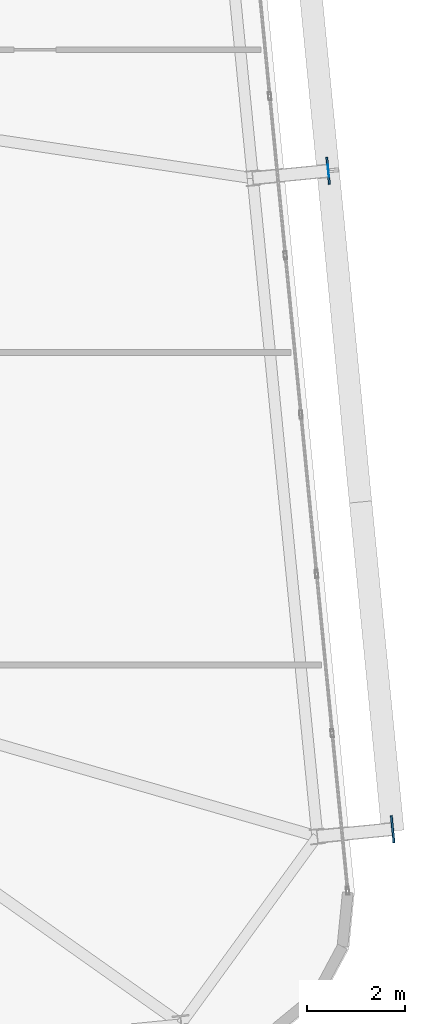
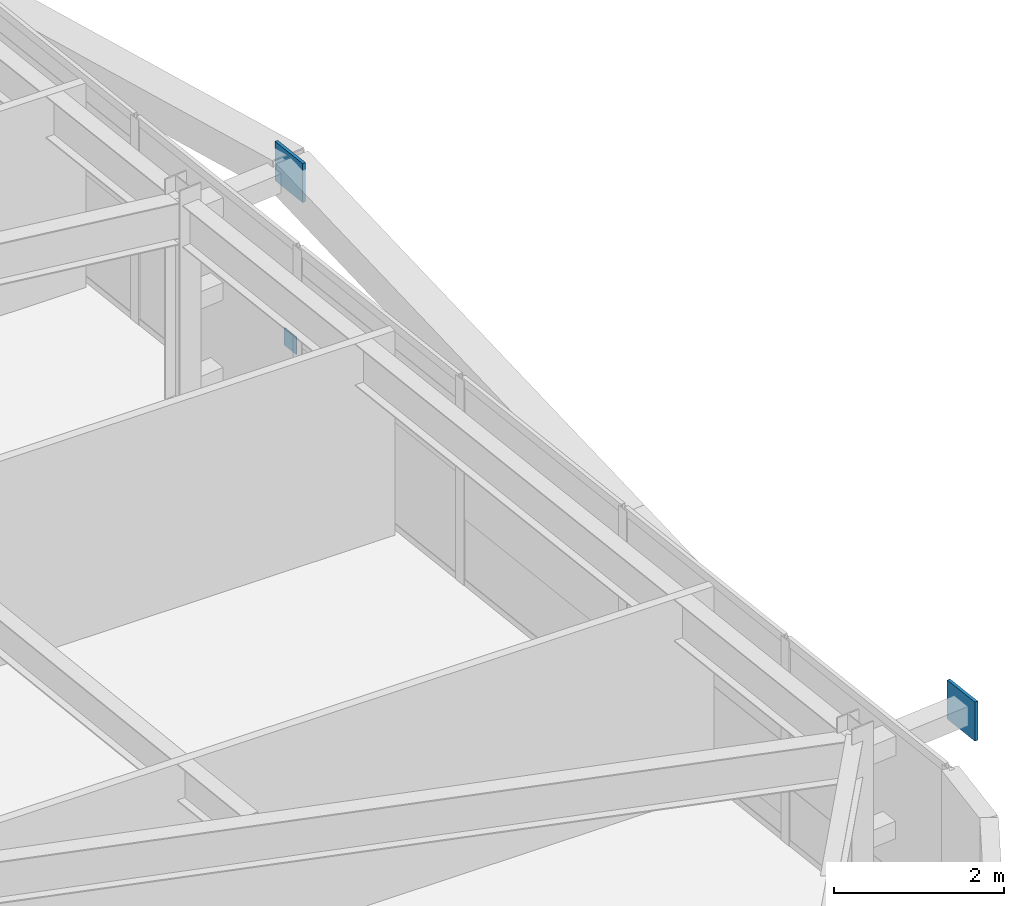
# One storey, part 42 of 52: 3 plates.
"""IFC4 building model written with IfcOpenShell, lengths in metres."""

import ifcopenshell
import ifcopenshell.guid

model = None  # the IFC model being written
_history = None  # IfcOwnerHistory: only IFC2X3 demands one
_inside = {}  # id of a spatial element -> (the spatial element, [elements in it])
_under = {}  # id of a project, library or spatial element -> (it, [spatial elements below it])
_declared = {}  # id of a project -> (the project, [libraries it declares])
_typed = {}  # id of a type object -> (the type object, [elements of that type])
_made_of = {}  # id of a material, layer set ... -> (it, [elements and type objects made of it])


def new_model(schema):
    """Start an empty IFC model of exactly this schema.

    Asked for "IFC4X3", IfcOpenShell would pick the latest addendum, in which some entities
    have other attributes; the version numbers below select the first issue.
    IFC2X3 requires an IfcOwnerHistory on every rooted entity: one is made here for all.
    """
    global model, _history
    if schema == "IFC4X3":
        model = ifcopenshell.file(schema_version=(4, 3, 0, 0))
    else:
        model = ifcopenshell.file(schema=schema)
    _inside.clear()
    _under.clear()
    _declared.clear()
    _typed.clear()
    _made_of.clear()
    _history = None
    if model.schema == "IFC2X3":
        org = make("IfcOrganization", Name="unknown")
        user = make(
            "IfcPersonAndOrganization",
            ThePerson=make("IfcPerson", FamilyName="unknown"),
            TheOrganization=org,
        )
        app = make(
            "IfcApplication",
            ApplicationDeveloper=org,
            Version="unknown",
            ApplicationFullName="unknown",
            ApplicationIdentifier="unknown",
        )
        _history = make(
            "IfcOwnerHistory",
            OwningUser=user,
            OwningApplication=app,
            ChangeAction="ADDED",
            CreationDate=0,
        )
    return model


def make(cls, **values):
    """One entity of the class cls with the attributes given. An attribute that is None is left unset."""
    return model.create_entity(
        cls, **{name: value for name, value in values.items() if value is not None}
    )


def rooted(cls, **values):
    """An entity with a GlobalId (a new one), such as an element, a storey or a relation."""
    return make(cls, GlobalId=ifcopenshell.guid.new(), OwnerHistory=_history, **values)


def si_unit(unit_type, name, prefix=None):
    """IfcSIUnit, for example si_unit("LENGTHUNIT", "METRE", prefix="MILLI")."""
    return make("IfcSIUnit", UnitType=unit_type, Prefix=prefix, Name=name)


def assignment(units):
    """IfcUnitAssignment: the units of a project."""
    return None if units is None else make("IfcUnitAssignment", Units=units)


def point(xyz):
    """IfcCartesianPoint."""
    return None if xyz is None else make("IfcCartesianPoint", Coordinates=xyz)


def direction(xyz):
    """IfcDirection."""
    return None if xyz is None else make("IfcDirection", DirectionRatios=xyz)


def frame(location, z_axis=None, x_axis=None):
    """IfcAxis2Placement3D, a coordinate frame: its origin and axes. An axis left out is left unset."""
    return make(
        "IfcAxis2Placement3D",
        Location=point(location),
        Axis=direction(z_axis),
        RefDirection=direction(x_axis),
    )


def frame_2d(location, x_axis=None):
    """IfcAxis2Placement2D, a coordinate frame in the plane: its origin and x axis."""
    return make(
        "IfcAxis2Placement2D", Location=point(location), RefDirection=direction(x_axis)
    )


def origin():
    """The frame at (0, 0, 0) with its axes left unset."""
    return frame((0.0, 0.0, 0.0))


def origin_2d():
    """The frame at (0, 0) in the plane with its x axis left unset."""
    return frame_2d((0.0, 0.0))


def place(relative_to, where):
    """IfcLocalPlacement: puts the frame where relative to a parent placement (None: the world)."""
    return make(
        "IfcLocalPlacement", PlacementRelTo=relative_to, RelativePlacement=where
    )


def context(
    kind, dimensions, precision=None, world=None, true_north=None, identifier=None
):
    """IfcGeometricRepresentationContext, for example the 3D "Model" context."""
    return make(
        "IfcGeometricRepresentationContext",
        ContextIdentifier=identifier,
        ContextType=kind,
        CoordinateSpaceDimension=dimensions,
        Precision=precision,
        WorldCoordinateSystem=world,
        TrueNorth=true_north,
    )


def subcontext(parent, identifier, kind, view, scale=None):
    """IfcGeometricRepresentationSubContext, for example "Body" below "Model"."""
    return make(
        "IfcGeometricRepresentationSubContext",
        ContextIdentifier=identifier,
        ContextType=kind,
        ParentContext=parent,
        TargetScale=scale,
        TargetView=view,
    )


def project(units=None, contexts=None):
    """IfcProject with its units and contexts."""
    return rooted(
        "IfcProject",
        Name="project",
        RepresentationContexts=contexts,
        UnitsInContext=assignment(units),
    )


def spatial(cls, under=None, at=None, **own):
    """A site, building, storey or space (cls), placed at a placement, below another one or the project."""
    s = rooted(cls, ObjectPlacement=at, **own)
    if under is not None:
        _under.setdefault(under.id(), (under, []))[1].append(s)
    return s


def profile(cls, at=None, kind="AREA", **sizes):
    """A parametric profile (cls). Its sizes go by their IFC names, for example OverallWidth=200.0."""
    return make(cls, ProfileType=kind, Position=at, **sizes)


def rectangle(**sizes):
    """IfcRectangleProfileDef."""
    return profile("IfcRectangleProfileDef", **sizes)


def extrude(swept, where, along, depth):
    """IfcExtrudedAreaSolid: the profile swept, set in the frame where, extruded along a direction by depth."""
    return make(
        "IfcExtrudedAreaSolid",
        SweptArea=swept,
        Position=where,
        ExtrudedDirection=direction(along),
        Depth=depth,
    )


def shape(context_of_items, identifier, shape_type, items):
    """IfcShapeRepresentation: the items that make up one representation, for example the "Body"."""
    return make(
        "IfcShapeRepresentation",
        ContextOfItems=context_of_items,
        RepresentationIdentifier=identifier,
        RepresentationType=shape_type,
        Items=items,
    )


def source(mapping_origin, context_of_items, identifier, shape_type, items):
    """IfcRepresentationMap: a shape defined once, which mapped items show again and again."""
    return make(
        "IfcRepresentationMap",
        MappingOrigin=mapping_origin,
        MappedRepresentation=shape(context_of_items, identifier, shape_type, items),
    )


def transform(
    local_origin,
    x_axis=None,
    y_axis=None,
    z_axis=None,
    scale=None,
    scale2=None,
    scale3=None,
    uniform=True,
):
    """IfcCartesianTransformationOperator3D, or its non-uniform kind. x_axis, y_axis, z_axis: its Axis1, 2, 3."""
    if uniform:
        return make(
            "IfcCartesianTransformationOperator3D",
            Axis1=direction(x_axis),
            Axis2=direction(y_axis),
            LocalOrigin=point(local_origin),
            Scale=scale,
            Axis3=direction(z_axis),
        )
    return make(
        "IfcCartesianTransformationOperator3DnonUniform",
        Axis1=direction(x_axis),
        Axis2=direction(y_axis),
        LocalOrigin=point(local_origin),
        Scale=scale,
        Axis3=direction(z_axis),
        Scale2=scale2,
        Scale3=scale3,
    )


def mapped(mapping_source, mapping_target):
    """IfcMappedItem: shows the shape of a source again, moved by a transform."""
    return make(
        "IfcMappedItem", MappingSource=mapping_source, MappingTarget=mapping_target
    )


def material(Name=None, Category=None):
    """IfcMaterial."""
    return make("IfcMaterial", Name=Name, Category=Category)


def layer(
    of_material, thickness, ventilated=None, Name=None, Category=None, Priority=None
):
    """IfcMaterialLayer: one layer of a wall or slab, of a material (None: an air gap)."""
    return make(
        "IfcMaterialLayer",
        Material=of_material,
        LayerThickness=thickness,
        IsVentilated=ventilated,
        Name=Name,
        Category=Category,
        Priority=Priority,
    )


def layer_set(layers, Name=None):
    """IfcMaterialLayerSet."""
    return make("IfcMaterialLayerSet", MaterialLayers=layers, LayerSetName=Name)


def made_of(thing, what):
    """Note that an element or type object is made of a material, layer set ...; save() writes the relation."""
    if what is not None:
        _made_of.setdefault(what.id(), (what, []))[1].append(thing)
    return thing


def type_object(cls, material=None, **own):
    """A type object (cls), such as IfcWallType, which elements share."""
    return made_of(rooted(cls, **own), material)


def element(
    cls,
    number,
    at=None,
    inside=None,
    cuts=None,
    type_object=None,
    material=None,
    context=None,
    identifier="Body",
    shape_type=None,
    held_by="IfcProductDefinitionShape",
    body=None,
    shapes=None,
    **own,
):
    """One element of the class cls, such as IfcWall. Its Tag is "e" and its number.

    at: its placement. inside: the storey or other place that contains it. cuts: it is an
    opening in that element (IfcRelVoidsElement). A single representation is given by context,
    identifier, shape_type and body (its items); several are given by shapes. held_by: the class
    of the entity that holds the representations. save() writes the other relations.
    """
    e = rooted(cls, Tag="e%d" % number, ObjectPlacement=at, **own)
    if body is not None:
        shapes = [shape(context, identifier, shape_type, body)]
    if shapes is not None:
        e.Representation = make(held_by, Representations=shapes)
    if inside is not None:
        _inside.setdefault(inside.id(), (inside, []))[1].append(e)
    if cuts is not None:
        rooted(
            "IfcRelVoidsElement", RelatingBuildingElement=cuts, RelatedOpeningElement=e
        )
    if type_object is not None:
        _typed.setdefault(type_object.id(), (type_object, []))[1].append(e)
    return made_of(e, material)


def aggregate(whole, parts):
    """IfcRelAggregates: a whole, such as a stair, and the parts it consists of."""
    return rooted("IfcRelAggregates", RelatingObject=whole, RelatedObjects=parts)


def save(model, path):
    """Write the relations noted so far, then the file.

    IfcRelAggregates (storeys below a building ...), IfcRelContainedInSpatialStructure (elements
    in a storey), IfcRelDefinesByType, IfcRelAssociatesMaterial and IfcRelDeclares: one each for
    every whole, place, type object, material and project.
    """
    for whole, parts in _under.values():
        aggregate(whole, parts)
    for where, things in _inside.values():
        rooted(
            "IfcRelContainedInSpatialStructure",
            RelatedElements=things,
            RelatingStructure=where,
        )
    for kind, things in _typed.values():
        rooted("IfcRelDefinesByType", RelatedObjects=things, RelatingType=kind)
    for what, things in _made_of.values():
        rooted("IfcRelAssociatesMaterial", RelatedObjects=things, RelatingMaterial=what)
    for by, libraries in _declared.values():
        rooted("IfcRelDeclares", RelatingContext=by, RelatedDefinitions=libraries)
    model.write(path)


model = new_model("IFC4")

# Units and contexts
model_context = context("Model", 3, precision=1e-05, world=origin(), true_north=direction((0.0, 1.0)))
body_context = subcontext(model_context, "Body", "Model", "MODEL_VIEW")
ifc_project = project(units=[si_unit("LENGTHUNIT", "METRE"), si_unit("AREAUNIT", "SQUARE_METRE"), si_unit("VOLUMEUNIT", "CUBIC_METRE"), si_unit("PLANEANGLEUNIT", "RADIAN"), si_unit("MASSUNIT", "GRAM", prefix="KILO")], contexts=[model_context])

# Site, building, storey
site_placement = place(None, origin())
site = spatial("IfcSite", under=ifc_project, at=site_placement, CompositionType="ELEMENT")
building_placement = place(site_placement, origin())
building = spatial("IfcBuilding", under=site, at=building_placement, Name="Taldren Reach Tower", CompositionType="ELEMENT")
storey_placement = place(building_placement, frame((0.0, 0.0, 74.550048828125)))
storey = spatial("IfcBuildingStorey", under=building, at=storey_placement, Name="L22", CompositionType="ELEMENT", Elevation=74.550048828125)

# Plates
ifc_material_1 = material(Name="Steel Gr 450 (C450L0)", Category="steel")
ifc_layer_1 = layer(ifc_material_1, 0.0400390625)
ifc_layer_set_1 = layer_set([ifc_layer_1], Name="Steel Gr 450 (C450L0)")
plate_type_1 = type_object("IfcPlateType", Name="PL-GUSSET-40", PredefinedType="SHEET", material=ifc_layer_set_1)
shared_shape_1 = source(origin(), body_context, "Body", "SweptSolid", [
    extrude(rectangle(XDim=0.56005859375, YDim=0.0400390625, at=origin_2d()), origin(), (0.0, 0.0, 1.0), 0.56005859375),
])
for number, where, z_axis, x_axis, name in (
    (1, (67.434326171875, 8.634765625, 2.369873046875), (0.0, 0.0, 1.0), (-0.097582899759, 0.995227399982, 0.0), "Exoskeleton star-node gusset plate B2-E1 L22"),
    (2, (66.112060546875, 22.1201171875, 2.369873046875), (0.0, 0.0, 1.0), (-0.097582899759, 0.995227399982, 0.0), "Exoskeleton star-node gusset plate B2-E2 L22"),
):
    element("IfcPlate", number, at=place(storey_placement, frame(where, z_axis=z_axis, x_axis=x_axis)), inside=storey, type_object=plate_type_1, Name=name, PredefinedType="SHEET", context=body_context, shape_type="MappedRepresentation", body=[
        mapped(shared_shape_1, transform((0.0, 0.0, 0.0), scale=1.0)),
    ])
ifc_material_2 = material(Name="Steel Gr 350 (C350L0)", Category="steel")
ifc_layer_2 = layer(ifc_material_2, 0.011962890625)
ifc_layer_set_2 = layer_set([ifc_layer_2], Name="Steel Gr 350 (C350L0)")
plate_type_2 = type_object("IfcPlateType", Name="PL-CAP-250", PredefinedType="SHEET", material=ifc_layer_set_2)
shared_shape_2 = source(origin(), body_context, "Body", "SweptSolid", [
    extrude(rectangle(XDim=0.011962890625, YDim=0.25, at=origin_2d()), origin(), (0.0, 0.0, 1.0), 0.25),
])
plate_placement = place(storey_placement, frame((66.1181640625, 22.120849609375, 0.094970703125), z_axis=(0.0, 0.0, 1.0), x_axis=(0.995227399982, 0.097582899759, 0.0)))
element("IfcPlate", 3, at=plate_placement, inside=storey, type_object=plate_type_2, Name="Tie strut end cap plate B2-E2 L22", PredefinedType="SHEET", context=body_context, shape_type="MappedRepresentation", body=[
    mapped(shared_shape_2, transform((0.0, 0.0, 0.0), scale=1.0)),
])

save(model, "model.ifc")
